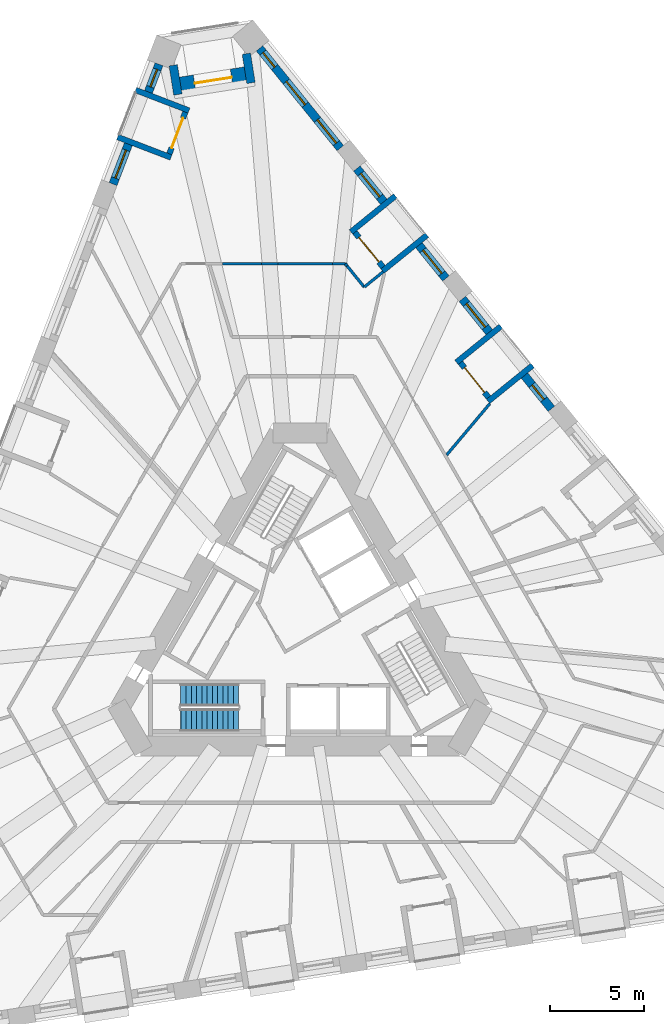
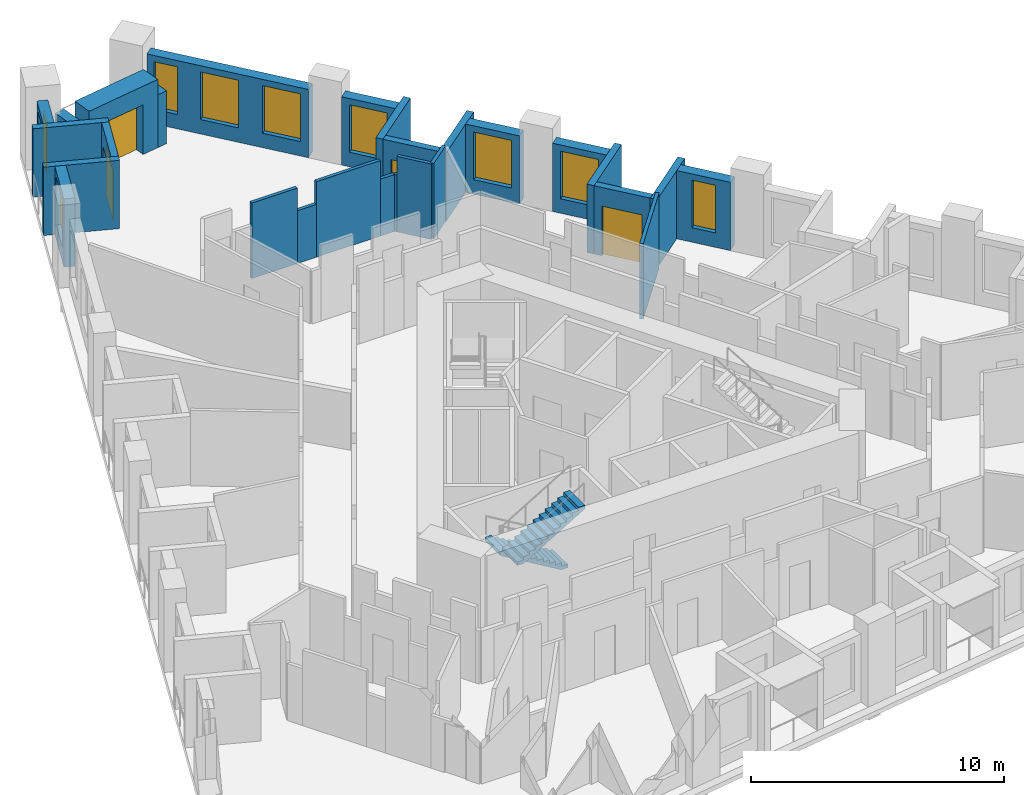
# One storey, part 9 of 14: 27 walls, 9 windows, 4 doors, 2 stair flights, 13 openings, 1 element without a shape of its own.
"""IFC4 building model written with IfcOpenShell, lengths in metres."""

import ifcopenshell
import ifcopenshell.guid

model = None  # the IFC model being written
_history = None  # IfcOwnerHistory: only IFC2X3 demands one
_inside = {}  # id of a spatial element -> (the spatial element, [elements in it])
_under = {}  # id of a project, library or spatial element -> (it, [spatial elements below it])
_declared = {}  # id of a project -> (the project, [libraries it declares])
_typed = {}  # id of a type object -> (the type object, [elements of that type])
_made_of = {}  # id of a material, layer set ... -> (it, [elements and type objects made of it])


def new_model(schema):
    """Start an empty IFC model of exactly this schema.

    Asked for "IFC4X3", IfcOpenShell would pick the latest addendum, in which some entities
    have other attributes; the version numbers below select the first issue.
    IFC2X3 requires an IfcOwnerHistory on every rooted entity: one is made here for all.
    """
    global model, _history
    if schema == "IFC4X3":
        model = ifcopenshell.file(schema_version=(4, 3, 0, 0))
    else:
        model = ifcopenshell.file(schema=schema)
    _inside.clear()
    _under.clear()
    _declared.clear()
    _typed.clear()
    _made_of.clear()
    _history = None
    if model.schema == "IFC2X3":
        org = make("IfcOrganization", Name="unknown")
        user = make(
            "IfcPersonAndOrganization",
            ThePerson=make("IfcPerson", FamilyName="unknown"),
            TheOrganization=org,
        )
        app = make(
            "IfcApplication",
            ApplicationDeveloper=org,
            Version="unknown",
            ApplicationFullName="unknown",
            ApplicationIdentifier="unknown",
        )
        _history = make(
            "IfcOwnerHistory",
            OwningUser=user,
            OwningApplication=app,
            ChangeAction="ADDED",
            CreationDate=0,
        )
    return model


def make(cls, **values):
    """One entity of the class cls with the attributes given. An attribute that is None is left unset."""
    return model.create_entity(
        cls, **{name: value for name, value in values.items() if value is not None}
    )


def rooted(cls, **values):
    """An entity with a GlobalId (a new one), such as an element, a storey or a relation."""
    return make(cls, GlobalId=ifcopenshell.guid.new(), OwnerHistory=_history, **values)


def si_unit(unit_type, name, prefix=None):
    """IfcSIUnit, for example si_unit("LENGTHUNIT", "METRE", prefix="MILLI")."""
    return make("IfcSIUnit", UnitType=unit_type, Prefix=prefix, Name=name)


def assignment(units):
    """IfcUnitAssignment: the units of a project."""
    return None if units is None else make("IfcUnitAssignment", Units=units)


def point(xyz):
    """IfcCartesianPoint."""
    return None if xyz is None else make("IfcCartesianPoint", Coordinates=xyz)


def direction(xyz):
    """IfcDirection."""
    return None if xyz is None else make("IfcDirection", DirectionRatios=xyz)


def frame(location, z_axis=None, x_axis=None):
    """IfcAxis2Placement3D, a coordinate frame: its origin and axes. An axis left out is left unset."""
    return make(
        "IfcAxis2Placement3D",
        Location=point(location),
        Axis=direction(z_axis),
        RefDirection=direction(x_axis),
    )


def frame_2d(location, x_axis=None):
    """IfcAxis2Placement2D, a coordinate frame in the plane: its origin and x axis."""
    return make(
        "IfcAxis2Placement2D", Location=point(location), RefDirection=direction(x_axis)
    )


def origin():
    """The frame at (0, 0, 0) with its axes left unset."""
    return frame((0.0, 0.0, 0.0))


def place(relative_to, where):
    """IfcLocalPlacement: puts the frame where relative to a parent placement (None: the world)."""
    return make(
        "IfcLocalPlacement", PlacementRelTo=relative_to, RelativePlacement=where
    )


def context(
    kind, dimensions, precision=None, world=None, true_north=None, identifier=None
):
    """IfcGeometricRepresentationContext, for example the 3D "Model" context."""
    return make(
        "IfcGeometricRepresentationContext",
        ContextIdentifier=identifier,
        ContextType=kind,
        CoordinateSpaceDimension=dimensions,
        Precision=precision,
        WorldCoordinateSystem=world,
        TrueNorth=true_north,
    )


def subcontext(parent, identifier, kind, view, scale=None):
    """IfcGeometricRepresentationSubContext, for example "Body" below "Model"."""
    return make(
        "IfcGeometricRepresentationSubContext",
        ContextIdentifier=identifier,
        ContextType=kind,
        ParentContext=parent,
        TargetScale=scale,
        TargetView=view,
    )


def project(units=None, contexts=None):
    """IfcProject with its units and contexts."""
    return rooted(
        "IfcProject",
        Name="project",
        RepresentationContexts=contexts,
        UnitsInContext=assignment(units),
    )


def spatial(cls, under=None, at=None, **own):
    """A site, building, storey or space (cls), placed at a placement, below another one or the project."""
    s = rooted(cls, ObjectPlacement=at, **own)
    if under is not None:
        _under.setdefault(under.id(), (under, []))[1].append(s)
    return s


def polyline(points):
    """IfcPolyline through the points."""
    return make("IfcPolyline", Points=[point(p) for p in points])


def profile(cls, at=None, kind="AREA", **sizes):
    """A parametric profile (cls). Its sizes go by their IFC names, for example OverallWidth=200.0."""
    return make(cls, ProfileType=kind, Position=at, **sizes)


def rectangle(**sizes):
    """IfcRectangleProfileDef."""
    return profile("IfcRectangleProfileDef", **sizes)


def outline(outer, holes=None, kind="AREA"):
    """IfcArbitraryClosedProfileDef: a profile drawn as a closed curve; with holes, ...WithVoids."""
    if holes is None:
        return make("IfcArbitraryClosedProfileDef", ProfileType=kind, OuterCurve=outer)
    return make(
        "IfcArbitraryProfileDefWithVoids",
        ProfileType=kind,
        OuterCurve=outer,
        InnerCurves=holes,
    )


def extrude(swept, where, along, depth):
    """IfcExtrudedAreaSolid: the profile swept, set in the frame where, extruded along a direction by depth."""
    return make(
        "IfcExtrudedAreaSolid",
        SweptArea=swept,
        Position=where,
        ExtrudedDirection=direction(along),
        Depth=depth,
    )


def shape(context_of_items, identifier, shape_type, items):
    """IfcShapeRepresentation: the items that make up one representation, for example the "Body"."""
    return make(
        "IfcShapeRepresentation",
        ContextOfItems=context_of_items,
        RepresentationIdentifier=identifier,
        RepresentationType=shape_type,
        Items=items,
    )


def material(Name=None, Category=None):
    """IfcMaterial."""
    return make("IfcMaterial", Name=Name, Category=Category)


def layer(
    of_material, thickness, ventilated=None, Name=None, Category=None, Priority=None
):
    """IfcMaterialLayer: one layer of a wall or slab, of a material (None: an air gap)."""
    return make(
        "IfcMaterialLayer",
        Material=of_material,
        LayerThickness=thickness,
        IsVentilated=ventilated,
        Name=Name,
        Category=Category,
        Priority=Priority,
    )


def layer_set(layers, Name=None):
    """IfcMaterialLayerSet."""
    return make("IfcMaterialLayerSet", MaterialLayers=layers, LayerSetName=Name)


def made_of(thing, what):
    """Note that an element or type object is made of a material, layer set ...; save() writes the relation."""
    if what is not None:
        _made_of.setdefault(what.id(), (what, []))[1].append(thing)
    return thing


def type_object(cls, material=None, **own):
    """A type object (cls), such as IfcWallType, which elements share."""
    return made_of(rooted(cls, **own), material)


def element(
    cls,
    number,
    at=None,
    inside=None,
    cuts=None,
    type_object=None,
    material=None,
    context=None,
    identifier="Body",
    shape_type=None,
    held_by="IfcProductDefinitionShape",
    body=None,
    shapes=None,
    **own,
):
    """One element of the class cls, such as IfcWall. Its Tag is "e" and its number.

    at: its placement. inside: the storey or other place that contains it. cuts: it is an
    opening in that element (IfcRelVoidsElement). A single representation is given by context,
    identifier, shape_type and body (its items); several are given by shapes. held_by: the class
    of the entity that holds the representations. save() writes the other relations.
    """
    e = rooted(cls, Tag="e%d" % number, ObjectPlacement=at, **own)
    if body is not None:
        shapes = [shape(context, identifier, shape_type, body)]
    if shapes is not None:
        e.Representation = make(held_by, Representations=shapes)
    if inside is not None:
        _inside.setdefault(inside.id(), (inside, []))[1].append(e)
    if cuts is not None:
        rooted(
            "IfcRelVoidsElement", RelatingBuildingElement=cuts, RelatedOpeningElement=e
        )
    if type_object is not None:
        _typed.setdefault(type_object.id(), (type_object, []))[1].append(e)
    return made_of(e, material)


def fill(opening, filler):
    """IfcRelFillsElement: the door or window that sits in an opening."""
    return rooted(
        "IfcRelFillsElement",
        RelatingOpeningElement=opening,
        RelatedBuildingElement=filler,
    )


def aggregate(whole, parts):
    """IfcRelAggregates: a whole, such as a stair, and the parts it consists of."""
    return rooted("IfcRelAggregates", RelatingObject=whole, RelatedObjects=parts)


def save(model, path):
    """Write the relations noted so far, then the file.

    IfcRelAggregates (storeys below a building ...), IfcRelContainedInSpatialStructure (elements
    in a storey), IfcRelDefinesByType, IfcRelAssociatesMaterial and IfcRelDeclares: one each for
    every whole, place, type object, material and project.
    """
    for whole, parts in _under.values():
        aggregate(whole, parts)
    for where, things in _inside.values():
        rooted(
            "IfcRelContainedInSpatialStructure",
            RelatedElements=things,
            RelatingStructure=where,
        )
    for kind, things in _typed.values():
        rooted("IfcRelDefinesByType", RelatedObjects=things, RelatingType=kind)
    for what, things in _made_of.values():
        rooted("IfcRelAssociatesMaterial", RelatedObjects=things, RelatingMaterial=what)
    for by, libraries in _declared.values():
        rooted("IfcRelDeclares", RelatingContext=by, RelatedDefinitions=libraries)
    model.write(path)


model = new_model("IFC4")

# Units and contexts
model_context = context("Model", 3, precision=1e-05, world=origin(), true_north=direction((0.0, 1.0)))
body_context = subcontext(model_context, "Body", "Model", "MODEL_VIEW")
ifc_project = project(units=[si_unit("LENGTHUNIT", "METRE"), si_unit("AREAUNIT", "SQUARE_METRE"), si_unit("VOLUMEUNIT", "CUBIC_METRE"), si_unit("PLANEANGLEUNIT", "RADIAN"), si_unit("MASSUNIT", "GRAM", prefix="KILO")], contexts=[model_context])

# Site, building, storey
site_placement = place(None, origin())
site = spatial("IfcSite", under=ifc_project, at=site_placement, CompositionType="ELEMENT")
building_placement = place(site_placement, origin())
building = spatial("IfcBuilding", under=site, at=building_placement, Name="Tramontana Tower", CompositionType="ELEMENT")
storey_placement = place(building_placement, frame((0.0, 0.0, 79.199951171875)))
storey = spatial("IfcBuildingStorey", under=building, at=storey_placement, Name="L17", CompositionType="ELEMENT", Elevation=79.199951171875)

# Wall, opening, window
ifc_material_1 = material(Name="Precast concrete 60 MPa", Category="concrete")
ifc_layer_1 = layer(ifc_material_1, 0.449951171875)
ifc_layer_set_1 = layer_set([ifc_layer_1], Name="Precast concrete 60 MPa, 450 mm")
wall_type_1 = type_object("IfcWallType", Name="EW1 Stone-faced precast wall 450", PredefinedType="SOLIDWALL", material=ifc_layer_set_1)
wall_1_placement = place(storey_placement, frame((-7.521728515625, 30.14453125, 0.0), z_axis=(0.0, 0.0, 1.0), x_axis=(-0.358431261356, -0.933556120907, 0.0)))
wall_1 = element("IfcWall", 1, at=wall_1_placement, inside=storey, type_object=wall_type_1, Name="External wall L17 face 0 bay 1", PredefinedType="SOLIDWALL", context=body_context, shape_type="SweptSolid", body=[
    extrude(rectangle(XDim=1.5830078125, YDim=0.449951171875, at=frame_2d((0.79150390625, 0.0))), origin(), (0.0, 0.0, 1.0), 3.300048828125),
])
opening_1_placement = place(wall_1_placement, frame((0.29150390625, 0.0, 0.699951171875)))
opening_1 = element("IfcOpeningElement", 2, at=opening_1_placement, cuts=wall_1, Name="Opening N1", PredefinedType="OPENING", context=body_context, shape_type="SweptSolid", body=[
    extrude(rectangle(XDim=1.0, YDim=2.300048828125, at=frame_2d((0.5, 1.14990234375))), frame((0.0, 0.23486328125, 0.0), z_axis=(0.0, -1.0, 0.0), x_axis=(1.0, 0.0, 0.0)), (0.0, 0.0, 1.0), 0.469970703125),
])
ifc_material_2 = material(Name="Aluminum frame, double glazing unit", Category="aluminium")
window_type_1 = type_object("IfcWindowType", Name="N1 Window 1 x 2.3", PartitioningType="SINGLE_PANEL", PredefinedType="WINDOW", material=ifc_material_2)
window_1_placement = place(opening_1_placement, origin())
window_1 = element("IfcWindow", 3, at=window_1_placement, inside=storey, type_object=window_type_1, Name="Window N1 L17 face 0 module 1", OverallHeight=2.300048828125, OverallWidth=1.0, PartitioningType="SINGLE_PANEL", PredefinedType="WINDOW", context=body_context, shape_type="SweptSolid", body=[
    extrude(rectangle(XDim=1.0, YDim=2.300048828125, at=frame_2d((0.5, 1.14990234375))), frame((0.0, 0.030029296875, 0.0), z_axis=(0.0, -1.0, 0.0), x_axis=(1.0, 0.0, 0.0)), (0.0, 0.0, 1.0), 0.06005859375),
])
fill(opening_1, window_1)

wall_2_placement = place(storey_placement, frame((-9.157958984375, 25.8818359375, 0.0), z_axis=(0.0, 0.0, 1.0), x_axis=(-0.358355550725, -0.933585185864, 0.0)))
wall_2 = element("IfcWall", 4, at=wall_2_placement, inside=storey, type_object=wall_type_1, Name="External wall L17 face 0 bay 1", PredefinedType="SOLIDWALL", context=body_context, shape_type="SweptSolid", body=[
    extrude(rectangle(XDim=2.282958984375, YDim=0.449951171875, at=frame_2d((1.1416015625, 0.0))), origin(), (0.0, 0.0, 1.0), 3.300048828125),
])
opening_2_placement = place(wall_2_placement, frame((0.341552734375, 0.0, 0.699951171875)))
opening_2 = element("IfcOpeningElement", 5, at=opening_2_placement, cuts=wall_2, Name="Opening M1", PredefinedType="OPENING", context=body_context, shape_type="SweptSolid", body=[
    extrude(rectangle(XDim=1.60009765625, YDim=2.300048828125, at=frame_2d((0.800048828125, 1.14990234375))), frame((0.0, 0.23486328125, 0.0), z_axis=(0.0, -1.0, 0.0), x_axis=(1.0, 0.0, 0.0)), (0.0, 0.0, 1.0), 0.469970703125),
])
ifc_material_3 = material(Name="Aluminum frame, double glazing unit", Category="aluminium")
window_type_2 = type_object("IfcWindowType", Name="M1 Window 1.6 x 2.3", PartitioningType="SINGLE_PANEL", PredefinedType="WINDOW", material=ifc_material_3)
window_2_placement = place(opening_2_placement, origin())
window_2 = element("IfcWindow", 6, at=window_2_placement, inside=storey, type_object=window_type_2, Name="Window M1 L17 face 0 module 3", OverallHeight=2.300048828125, OverallWidth=1.60009765625, PartitioningType="SINGLE_PANEL", PredefinedType="WINDOW", context=body_context, shape_type="SweptSolid", body=[
    extrude(rectangle(XDim=1.60009765625, YDim=2.300048828125, at=frame_2d((0.800048828125, 1.14990234375))), frame((0.0, 0.030029296875, 0.0), z_axis=(0.0, -1.0, 0.0), x_axis=(1.0, 0.0, 0.0)), (0.0, 0.0, 1.0), 0.06005859375),
])
fill(opening_2, window_2)

wall_3_placement = place(storey_placement, frame((13.412109375, 11.76171875, 0.0), z_axis=(0.0, 0.0, 1.0), x_axis=(-0.629339730135, 0.777130300576, 0.0)))
wall_3 = element("IfcWall", 7, at=wall_3_placement, inside=storey, type_object=wall_type_1, Name="External wall L17 face 2 bay 4", PredefinedType="SOLIDWALL", context=body_context, shape_type="SweptSolid", body=[
    extrude(rectangle(XDim=2.282958984375, YDim=0.449951171875, at=frame_2d((1.1416015625, 0.0))), origin(), (0.0, 0.0, 1.0), 3.300048828125),
])
opening_3_placement = place(wall_3_placement, frame((0.6416015625, 0.0, 0.699951171875)))
opening_3 = element("IfcOpeningElement", 8, at=opening_3_placement, cuts=wall_3, Name="Opening N1", PredefinedType="OPENING", context=body_context, shape_type="SweptSolid", body=[
    extrude(rectangle(XDim=1.0, YDim=2.300048828125, at=frame_2d((0.5, 1.14990234375))), frame((0.0, 0.23486328125, 0.0), z_axis=(0.0, -1.0, 0.0), x_axis=(1.0, 0.0, 0.0)), (0.0, 0.0, 1.0), 0.469970703125),
])
window_3_placement = place(opening_3_placement, origin())
window_3 = element("IfcWindow", 9, at=window_3_placement, inside=storey, type_object=window_type_1, Name="Window N1 L17 face 2 module 10", OverallHeight=2.300048828125, OverallWidth=1.0, PartitioningType="SINGLE_PANEL", PredefinedType="WINDOW", context=body_context, shape_type="SweptSolid", body=[
    extrude(rectangle(XDim=1.0, YDim=2.300048828125, at=frame_2d((0.5, 1.14990234375))), frame((0.0, 0.030029296875, 0.0), z_axis=(0.0, -1.0, 0.0), x_axis=(1.0, 0.0, 0.0)), (0.0, 0.0, 1.0), 0.06005859375),
])
fill(opening_3, window_3)

wall_4_placement = place(storey_placement, frame((10.09814453125, 15.85400390625, 0.0), z_axis=(0.0, 0.0, 1.0), x_axis=(-0.629339730135, 0.777130300576, 0.0)))
wall_4 = element("IfcWall", 10, at=wall_4_placement, inside=storey, type_object=wall_type_1, Name="External wall L17 face 2 bay 4", PredefinedType="SOLIDWALL", context=body_context, shape_type="SweptSolid", body=[
    extrude(rectangle(XDim=2.282958984375, YDim=0.449951171875, at=frame_2d((1.1416015625, 0.0))), origin(), (0.0, 0.0, 1.0), 3.300048828125),
])
opening_4_placement = place(wall_4_placement, frame((0.341552734375, 0.0, 0.699951171875)))
opening_4 = element("IfcOpeningElement", 11, at=opening_4_placement, cuts=wall_4, Name="Opening M1", PredefinedType="OPENING", context=body_context, shape_type="SweptSolid", body=[
    extrude(rectangle(XDim=1.60009765625, YDim=2.300048828125, at=frame_2d((0.800048828125, 1.14990234375))), frame((0.0, 0.23486328125, 0.0), z_axis=(0.0, -1.0, 0.0), x_axis=(1.0, 0.0, 0.0)), (0.0, 0.0, 1.0), 0.469970703125),
])
window_4_placement = place(opening_4_placement, origin())
window_4 = element("IfcWindow", 12, at=window_4_placement, inside=storey, type_object=window_type_2, Name="Window M1 L17 face 2 module 12", OverallHeight=2.300048828125, OverallWidth=1.60009765625, PartitioningType="SINGLE_PANEL", PredefinedType="WINDOW", context=body_context, shape_type="SweptSolid", body=[
    extrude(rectangle(XDim=1.60009765625, YDim=2.300048828125, at=frame_2d((0.800048828125, 1.14990234375))), frame((0.0, 0.030029296875, 0.0), z_axis=(0.0, -1.0, 0.0), x_axis=(1.0, 0.0, 0.0)), (0.0, 0.0, 1.0), 0.06005859375),
])
fill(opening_4, window_4)

wall_5_placement = place(storey_placement, frame((7.7802734375, 18.71630859375, 0.0), z_axis=(0.0, 0.0, 1.0), x_axis=(-0.629275139402, 0.777182603337, 0.0)))
wall_5 = element("IfcWall", 13, at=wall_5_placement, inside=storey, type_object=wall_type_1, Name="External wall L17 face 2 bay 5", PredefinedType="SOLIDWALL", context=body_context, shape_type="SweptSolid", body=[
    extrude(rectangle(XDim=2.28271484375, YDim=0.449951171875, at=frame_2d((1.141357421875, 0.0))), origin(), (0.0, 0.0, 1.0), 3.300048828125),
])
opening_5_placement = place(wall_5_placement, frame((0.341552734375, 0.0, 0.699951171875)))
opening_5 = element("IfcOpeningElement", 14, at=opening_5_placement, cuts=wall_5, Name="Opening M1", PredefinedType="OPENING", context=body_context, shape_type="SweptSolid", body=[
    extrude(rectangle(XDim=1.60009765625, YDim=2.300048828125, at=frame_2d((0.800048828125, 1.14990234375))), frame((0.0, 0.23486328125, 0.0), z_axis=(0.0, -1.0, 0.0), x_axis=(1.0, 0.0, 0.0)), (0.0, 0.0, 1.0), 0.469970703125),
])
window_5_placement = place(opening_5_placement, origin())
window_5 = element("IfcWindow", 15, at=window_5_placement, inside=storey, type_object=window_type_2, Name="Window M1 L17 face 2 module 13", OverallHeight=2.300048828125, OverallWidth=1.60009765625, PartitioningType="SINGLE_PANEL", PredefinedType="WINDOW", context=body_context, shape_type="SweptSolid", body=[
    extrude(rectangle(XDim=1.60009765625, YDim=2.300048828125, at=frame_2d((0.800048828125, 1.14990234375))), frame((0.0, 0.030029296875, 0.0), z_axis=(0.0, -1.0, 0.0), x_axis=(1.0, 0.0, 0.0)), (0.0, 0.0, 1.0), 0.06005859375),
])
fill(opening_5, window_5)

wall_6_placement = place(storey_placement, frame((4.46630859375, 22.80859375, 0.0), z_axis=(0.0, 0.0, 1.0), x_axis=(-0.629275139402, 0.777182603337, 0.0)))
wall_6 = element("IfcWall", 16, at=wall_6_placement, inside=storey, type_object=wall_type_1, Name="External wall L17 face 2 bay 5", PredefinedType="SOLIDWALL", context=body_context, shape_type="SweptSolid", body=[
    extrude(rectangle(XDim=2.28271484375, YDim=0.449951171875, at=frame_2d((1.141357421875, 0.0))), origin(), (0.0, 0.0, 1.0), 3.300048828125),
])
opening_6_placement = place(wall_6_placement, frame((0.341552734375, 0.0, 0.699951171875)))
opening_6 = element("IfcOpeningElement", 17, at=opening_6_placement, cuts=wall_6, Name="Opening M1", PredefinedType="OPENING", context=body_context, shape_type="SweptSolid", body=[
    extrude(rectangle(XDim=1.60009765625, YDim=2.300048828125, at=frame_2d((0.800048828125, 1.14990234375))), frame((0.0, 0.23486328125, 0.0), z_axis=(0.0, -1.0, 0.0), x_axis=(1.0, 0.0, 0.0)), (0.0, 0.0, 1.0), 0.469970703125),
])
window_6_placement = place(opening_6_placement, origin())
window_6 = element("IfcWindow", 18, at=window_6_placement, inside=storey, type_object=window_type_2, Name="Window M1 L17 face 2 module 15", OverallHeight=2.300048828125, OverallWidth=1.60009765625, PartitioningType="SINGLE_PANEL", PredefinedType="WINDOW", context=body_context, shape_type="SweptSolid", body=[
    extrude(rectangle(XDim=1.60009765625, YDim=2.300048828125, at=frame_2d((0.800048828125, 1.14990234375))), frame((0.0, 0.030029296875, 0.0), z_axis=(0.0, -1.0, 0.0), x_axis=(1.0, 0.0, 0.0)), (0.0, 0.0, 1.0), 0.06005859375),
])
fill(opening_6, window_6)

# Wall, openings, windows
wall_7_placement = place(storey_placement, frame((2.148681640625, 25.6708984375, 0.0), z_axis=(0.0, 0.0, 1.0), x_axis=(-0.629339730135, 0.777130300576, 0.0)))
wall_7 = element("IfcWall", 19, at=wall_7_placement, inside=storey, type_object=wall_type_1, Name="External wall L17 face 2 bay 6", PredefinedType="SOLIDWALL", context=body_context, shape_type="SweptSolid", body=[
    extrude(rectangle(XDim=6.848876953125, YDim=0.449951171875, at=frame_2d((3.42431640625, 0.0))), origin(), (0.0, 0.0, 1.0), 3.300048828125),
])
opening_7_placement = place(wall_7_placement, frame((0.341552734375, 0.0, 0.699951171875)))
opening_7 = element("IfcOpeningElement", 20, at=opening_7_placement, cuts=wall_7, Name="Opening M1", PredefinedType="OPENING", context=body_context, shape_type="SweptSolid", body=[
    extrude(rectangle(XDim=1.60009765625, YDim=2.300048828125, at=frame_2d((0.800048828125, 1.14990234375))), frame((0.0, 0.23486328125, 0.0), z_axis=(0.0, -1.0, 0.0), x_axis=(1.0, 0.0, 0.0)), (0.0, 0.0, 1.0), 0.469970703125),
])
opening_8_placement = place(wall_7_placement, frame((2.974365234375, 0.0, 0.699951171875)))
opening_8 = element("IfcOpeningElement", 21, at=opening_8_placement, cuts=wall_7, Name="Opening M1", PredefinedType="OPENING", context=body_context, shape_type="SweptSolid", body=[
    extrude(rectangle(XDim=1.60009765625, YDim=2.300048828125, at=frame_2d((0.800048828125, 1.14990234375))), frame((0.0, 0.23486328125, 0.0), z_axis=(0.0, -1.0, 0.0), x_axis=(1.0, 0.0, 0.0)), (0.0, 0.0, 1.0), 0.469970703125),
])
opening_9_placement = place(wall_7_placement, frame((5.557373046875, 0.0, 0.699951171875)))
opening_9 = element("IfcOpeningElement", 22, at=opening_9_placement, cuts=wall_7, Name="Opening N1", PredefinedType="OPENING", context=body_context, shape_type="SweptSolid", body=[
    extrude(rectangle(XDim=1.0, YDim=2.300048828125, at=frame_2d((0.5, 1.14990234375))), frame((0.0, 0.23486328125, 0.0), z_axis=(0.0, -1.0, 0.0), x_axis=(1.0, 0.0, 0.0)), (0.0, 0.0, 1.0), 0.469970703125),
])
window_7_placement = place(opening_7_placement, origin())
window_7 = element("IfcWindow", 23, at=window_7_placement, inside=storey, type_object=window_type_2, Name="Window M1 L17 face 2 module 16", OverallHeight=2.300048828125, OverallWidth=1.60009765625, PartitioningType="SINGLE_PANEL", PredefinedType="WINDOW", context=body_context, shape_type="SweptSolid", body=[
    extrude(rectangle(XDim=1.60009765625, YDim=2.300048828125, at=frame_2d((0.800048828125, 1.14990234375))), frame((0.0, 0.030029296875, 0.0), z_axis=(0.0, -1.0, 0.0), x_axis=(1.0, 0.0, 0.0)), (0.0, 0.0, 1.0), 0.06005859375),
])
fill(opening_7, window_7)
window_8_placement = place(opening_8_placement, origin())
window_8 = element("IfcWindow", 24, at=window_8_placement, inside=storey, type_object=window_type_2, Name="Window M1 L17 face 2 module 17", OverallHeight=2.300048828125, OverallWidth=1.60009765625, PartitioningType="SINGLE_PANEL", PredefinedType="WINDOW", context=body_context, shape_type="SweptSolid", body=[
    extrude(rectangle(XDim=1.60009765625, YDim=2.300048828125, at=frame_2d((0.800048828125, 1.14990234375))), frame((0.0, 0.030029296875, 0.0), z_axis=(0.0, -1.0, 0.0), x_axis=(1.0, 0.0, 0.0)), (0.0, 0.0, 1.0), 0.06005859375),
])
fill(opening_8, window_8)
window_9_placement = place(opening_9_placement, origin())
window_9 = element("IfcWindow", 25, at=window_9_placement, inside=storey, type_object=window_type_1, Name="Window N1 L17 face 2 module 18", OverallHeight=2.300048828125, OverallWidth=1.0, PartitioningType="SINGLE_PANEL", PredefinedType="WINDOW", context=body_context, shape_type="SweptSolid", body=[
    extrude(rectangle(XDim=1.0, YDim=2.300048828125, at=frame_2d((0.5, 1.14990234375))), frame((0.0, 0.030029296875, 0.0), z_axis=(0.0, -1.0, 0.0), x_axis=(1.0, 0.0, 0.0)), (0.0, 0.0, 1.0), 0.06005859375),
])
fill(opening_9, window_9)

# Walls
for number, where, z_axis, x_axis, name in (
    (26, (-6.765625, 30.09130859375, 0.0), (0.0, 0.0, 1.0), (0.156446802793, -0.987686386408, 0.0), "Corner loggia side wall L17 K10l"),
    (27, (-2.8642578125, 30.709228515625, 0.0), (0.0, 0.0, 1.0), (0.156446802793, -0.987686386408, 0.0), "Corner loggia side wall L17 K10r"),
):
    element("IfcWall", number, at=place(storey_placement, frame(where, z_axis=z_axis, x_axis=x_axis)), inside=storey, type_object=wall_type_1, Name=name, PredefinedType="SOLIDWALL", context=body_context, shape_type="SweptSolid", body=[
        extrude(rectangle(XDim=1.579345703125, YDim=0.449951171875, at=frame_2d((0.78955078125, 0.0))), origin(), (0.0, 0.0, 1.0), 2.550048828125),
    ])

# Wall, opening, door
ifc_material_4 = material(Name="Precast concrete 60 MPa", Category="concrete")
ifc_layer_2 = layer(ifc_material_4, 0.89990234375)
ifc_layer_set_2 = layer_set([ifc_layer_2], Name="EW2 Stone-faced corner loggia wall 900")
wall_type_2 = type_object("IfcWallType", Name="EW2 Stone-faced corner loggia wall 900", PredefinedType="SOLIDWALL", material=ifc_layer_set_2)
wall_8_placement = place(storey_placement, frame((-6.36669921875, 29.01123046875, 0.0), z_axis=(0.0, 0.0, 1.0), x_axis=(0.987683654859, 0.156464046744, 0.0)))
wall_8 = element("IfcWall", 28, at=wall_8_placement, inside=storey, type_object=wall_type_2, Name="Corner loggia wall L17 K10", PredefinedType="SOLIDWALL", context=body_context, shape_type="SweptSolid", body=[
    extrude(rectangle(XDim=3.5, YDim=0.89990234375, at=frame_2d((1.75, 0.0))), origin(), (0.0, 0.0, 1.0), 3.300048828125),
])
opening_10_placement = place(wall_8_placement, frame((0.75, 0.0, 0.0)))
opening_10 = element("IfcOpeningElement", 29, at=opening_10_placement, cuts=wall_8, Name="Opening BD-10C", PredefinedType="OPENING", context=body_context, shape_type="SweptSolid", body=[
    extrude(rectangle(XDim=2.0, YDim=2.39990234375, at=frame_2d((1.0, 1.199951171875))), frame((0.0, 0.4599609375, 0.0), z_axis=(0.0, -1.0, 0.0), x_axis=(1.0, 0.0, 0.0)), (0.0, 0.0, 1.0), 0.919921875),
])
ifc_material_5 = material(Name="Aluminum frame, double glazing unit", Category="aluminium")
door_type_1 = type_object("IfcDoorType", Name="BC1 Sliding door 2 x 2.4", OperationType="SLIDING_TO_LEFT", PredefinedType="DOOR", material=ifc_material_5)
door_1_placement = place(opening_10_placement, origin())
door_1 = element("IfcDoor", 30, at=door_1_placement, inside=storey, type_object=door_type_1, Name="Corner loggia door L17 K10", OperationType="SLIDING_TO_LEFT", OverallHeight=2.39990234375, OverallWidth=2.0, PredefinedType="DOOR", context=body_context, shape_type="SweptSolid", body=[
    extrude(rectangle(XDim=2.0, YDim=2.39990234375, at=frame_2d((1.0, 1.199951171875))), frame((0.0, 0.02490234375, 0.0), z_axis=(0.0, -1.0, 0.0), x_axis=(1.0, 0.0, 0.0)), (0.0, 0.0, 1.0), 0.050048828125),
])
fill(opening_10, door_1)

ifc_material_6 = material(Name="Precast concrete 60 MPa", Category="concrete")
ifc_layer_3 = layer(ifc_material_6, 0.300048828125)
ifc_layer_set_3 = layer_set([ifc_layer_3], Name="LW1 Stone-faced loggia wall 300")
wall_type_3 = type_object("IfcWallType", Name="LW1 Stone-faced loggia wall 300", PredefinedType="SOLIDWALL", material=ifc_layer_set_3)
wall_9_placement = place(storey_placement, frame((-6.119384765625, 27.58935546875, 0.0), z_axis=(0.0, 0.0, 1.0), x_axis=(-0.358354292693, -0.933585668757, 0.0)))
wall_9 = element("IfcWall", 31, at=wall_9_placement, inside=storey, type_object=wall_type_3, Name="Loggia wall L17 G1S0.1", PredefinedType="SOLIDWALL", context=body_context, shape_type="SweptSolid", body=[
    extrude(rectangle(XDim=2.383056640625, YDim=0.300048828125, at=frame_2d((1.19140625, 0.0))), origin(), (0.0, 0.0, 1.0), 3.300048828125),
])
opening_11_placement = place(wall_9_placement, frame((0.341552734375, 0.0, 0.0)))
opening_11 = element("IfcOpeningElement", 32, at=opening_11_placement, cuts=wall_9, Name="Opening BD-1S0-01", PredefinedType="OPENING", context=body_context, shape_type="SweptSolid", body=[
    extrude(rectangle(XDim=1.699951171875, YDim=2.39990234375, at=frame_2d((0.85009765625, 1.199951171875))), frame((0.0, 0.159912109375, 0.0), z_axis=(0.0, -1.0, 0.0), x_axis=(1.0, 0.0, 0.0)), (0.0, 0.0, 1.0), 0.320068359375),
])
ifc_material_7 = material(Name="Aluminum frame, double glazing unit", Category="aluminium")
door_type_2 = type_object("IfcDoorType", Name="BD1 Sliding door 1.7 x 2.4", OperationType="SLIDING_TO_LEFT", PredefinedType="DOOR", material=ifc_material_7)
door_2_placement = place(opening_11_placement, origin())
door_2 = element("IfcDoor", 33, at=door_2_placement, inside=storey, type_object=door_type_2, Name="Loggia door L17 G1S0.1", OperationType="SLIDING_TO_LEFT", OverallHeight=2.39990234375, OverallWidth=1.699951171875, PredefinedType="DOOR", context=body_context, shape_type="SweptSolid", body=[
    extrude(rectangle(XDim=1.699951171875, YDim=2.39990234375, at=frame_2d((0.85009765625, 1.199951171875))), frame((0.0, 0.02490234375, 0.0), z_axis=(0.0, -1.0, 0.0), x_axis=(1.0, 0.0, 0.0)), (0.0, 0.0, 1.0), 0.050048828125),
])
fill(opening_11, door_2)

# Walls
for number, where, z_axis, x_axis, name in (
    (34, (-8.77294921875, 28.7685546875, 0.0), (0.0, 0.0, 1.0), (0.933580593625, -0.358367514161, 0.0), "Loggia return L17 G1S0.1a"),
    (35, (-9.734375, 26.263671875, 0.0), (0.0, 0.0, 1.0), (0.933580593625, -0.358367514161, 0.0), "Loggia return L17 G1S0.1b"),
):
    element("IfcWall", number, at=place(storey_placement, frame(where, z_axis=z_axis, x_axis=x_axis)), inside=storey, type_object=wall_type_3, Name=name, PredefinedType="SOLIDWALL", context=body_context, shape_type="SweptSolid", body=[
        extrude(rectangle(XDim=3.050048828125, YDim=0.300048828125, at=frame_2d((1.52490234375, 0.0))), origin(), (0.0, 0.0, 1.0), 3.300048828125),
    ])

# Wall, opening, door
wall_10_placement = place(storey_placement, frame((10.057373046875, 12.36865234375, 0.0), z_axis=(0.0, 0.0, 1.0), x_axis=(-0.629257171563, 0.777197151331, 0.0)))
wall_10 = element("IfcWall", 36, at=wall_10_placement, inside=storey, type_object=wall_type_3, Name="Loggia wall L17 G1S2.10", PredefinedType="SOLIDWALL", context=body_context, shape_type="SweptSolid", body=[
    extrude(rectangle(XDim=2.383056640625, YDim=0.300048828125, at=frame_2d((1.19140625, 0.0))), origin(), (0.0, 0.0, 1.0), 3.300048828125),
])
opening_12_placement = place(wall_10_placement, frame((0.341552734375, 0.0, 0.0)))
opening_12 = element("IfcOpeningElement", 37, at=opening_12_placement, cuts=wall_10, Name="Opening BD-1S2-10", PredefinedType="OPENING", context=body_context, shape_type="SweptSolid", body=[
    extrude(rectangle(XDim=1.699951171875, YDim=2.39990234375, at=frame_2d((0.85009765625, 1.199951171875))), frame((0.0, 0.159912109375, 0.0), z_axis=(0.0, -1.0, 0.0), x_axis=(1.0, 0.0, 0.0)), (0.0, 0.0, 1.0), 0.320068359375),
])
door_3_placement = place(opening_12_placement, origin())
door_3 = element("IfcDoor", 38, at=door_3_placement, inside=storey, type_object=door_type_2, Name="Loggia door L17 G1S2.10", OperationType="SLIDING_TO_LEFT", OverallHeight=2.39990234375, OverallWidth=1.699951171875, PredefinedType="DOOR", context=body_context, shape_type="SweptSolid", body=[
    extrude(rectangle(XDim=1.699951171875, YDim=2.39990234375, at=frame_2d((0.85009765625, 1.199951171875))), frame((0.0, 0.02490234375, 0.0), z_axis=(0.0, -1.0, 0.0), x_axis=(1.0, 0.0, 0.0)), (0.0, 0.0, 1.0), 0.050048828125),
])
fill(opening_12, door_3)

# Walls
wall_11_placement = place(storey_placement, frame((12.405517578125, 14.0771484375, 0.0), z_axis=(0.0, 0.0, 1.0), x_axis=(-0.777153523895, -0.629311052102, 0.0)))
element("IfcWall", 39, at=wall_11_placement, inside=storey, type_object=wall_type_3, Name="Loggia return L17 G1S2.10a", PredefinedType="SOLIDWALL", context=body_context, shape_type="SweptSolid", body=[
    extrude(rectangle(XDim=3.050048828125, YDim=0.300048828125, at=frame_2d((1.52490234375, 0.0))), origin(), (0.0, 0.0, 1.0), 3.300048828125),
])
wall_12_placement = place(storey_placement, frame((10.717041015625, 16.162353515625, 0.0), z_axis=(0.0, 0.0, 1.0), x_axis=(-0.777121820661, -0.629350201281, 0.0)))
element("IfcWall", 40, at=wall_12_placement, inside=storey, type_object=wall_type_3, Name="Loggia return L17 G1S2.10b", PredefinedType="SOLIDWALL", context=body_context, shape_type="SweptSolid", body=[
    extrude(rectangle(XDim=3.0498046875, YDim=0.300048828125, at=frame_2d((1.52490234375, 0.0))), origin(), (0.0, 0.0, 1.0), 3.300048828125),
])

# Wall, opening, door
wall_13_placement = place(storey_placement, frame((4.42578125, 19.323486328125, 0.0), z_axis=(0.0, 0.0, 1.0), x_axis=(-0.629369155682, 0.777106470103, 0.0)))
wall_13 = element("IfcWall", 41, at=wall_13_placement, inside=storey, type_object=wall_type_3, Name="Loggia wall L17 G1S2.13", PredefinedType="SOLIDWALL", context=body_context, shape_type="SweptSolid", body=[
    extrude(rectangle(XDim=2.383056640625, YDim=0.300048828125, at=frame_2d((1.19140625, 0.0))), origin(), (0.0, 0.0, 1.0), 3.300048828125),
])
opening_13_placement = place(wall_13_placement, frame((0.341552734375, 0.0, 0.0)))
opening_13 = element("IfcOpeningElement", 42, at=opening_13_placement, cuts=wall_13, Name="Opening BD-1S2-13", PredefinedType="OPENING", context=body_context, shape_type="SweptSolid", body=[
    extrude(rectangle(XDim=1.699951171875, YDim=2.39990234375, at=frame_2d((0.85009765625, 1.199951171875))), frame((0.0, 0.159912109375, 0.0), z_axis=(0.0, -1.0, 0.0), x_axis=(1.0, 0.0, 0.0)), (0.0, 0.0, 1.0), 0.320068359375),
])
door_4_placement = place(opening_13_placement, origin())
door_4 = element("IfcDoor", 43, at=door_4_placement, inside=storey, type_object=door_type_2, Name="Loggia door L17 G1S2.13", OperationType="SLIDING_TO_LEFT", OverallHeight=2.39990234375, OverallWidth=1.699951171875, PredefinedType="DOOR", context=body_context, shape_type="SweptSolid", body=[
    extrude(rectangle(XDim=1.699951171875, YDim=2.39990234375, at=frame_2d((0.85009765625, 1.199951171875))), frame((0.0, 0.02490234375, 0.0), z_axis=(0.0, -1.0, 0.0), x_axis=(1.0, 0.0, 0.0)), (0.0, 0.0, 1.0), 0.050048828125),
])
fill(opening_13, door_4)

# Walls
for number, where, z_axis, x_axis, name in (
    (44, (6.77392578125, 21.03173828125, 0.0), (0.0, 0.0, 1.0), (-0.777153523895, -0.629311052102, 0.0), "Loggia return L17 G1S2.13a"),
    (45, (5.08544921875, 23.116943359375, 0.0), (0.0, 0.0, 1.0), (-0.777153523895, -0.629311052102, 0.0), "Loggia return L17 G1S2.13b"),
):
    element("IfcWall", number, at=place(storey_placement, frame(where, z_axis=z_axis, x_axis=x_axis)), inside=storey, type_object=wall_type_3, Name=name, PredefinedType="SOLIDWALL", context=body_context, shape_type="SweptSolid", body=[
        extrude(rectangle(XDim=3.050048828125, YDim=0.300048828125, at=frame_2d((1.52490234375, 0.0))), origin(), (0.0, 0.0, 1.0), 3.300048828125),
    ])
ifc_material_8 = material(Name="Gypsum board partition")
ifc_layer_4 = layer(ifc_material_8, 0.14990234375)
ifc_layer_set_4 = layer_set([ifc_layer_4], Name="PARTITION 150")
wall_type_4 = type_object("IfcWallType", Name="PARTITION 150", PredefinedType="PARTITIONING", material=ifc_layer_set_4)
wall_14_placement = place(storey_placement, frame((-4.140625, 19.5, 0.0), z_axis=(0.0, 0.0, 1.0), x_axis=(1.0, 0.0, 0.0)))
element("IfcWall", 46, at=wall_14_placement, inside=storey, type_object=wall_type_4, Name="Wall v12-pw18-2", PredefinedType="PARTITIONING", context=body_context, shape_type="SweptSolid", body=[
    extrude(rectangle(XDim=2.079833984375, YDim=0.14990234375, at=frame_2d((1.0400390625, 0.0))), origin(), (0.0, 0.0, 1.0), 3.650146484375),
])
wall_15_placement = place(storey_placement, frame((-2.060791015625, 19.5, 0.0), z_axis=(0.0, 0.0, 1.0), x_axis=(1.0, 0.0, 0.0)))
element("IfcWall", 47, at=wall_15_placement, inside=storey, type_object=wall_type_4, Name="Wall v12-pw18-3", PredefinedType="PARTITIONING", context=body_context, shape_type="SweptSolid", body=[
    extrude(rectangle(XDim=0.878173828125, YDim=0.14990234375, at=frame_2d((0.43896484375, 0.0))), origin(), (0.0, 0.0, 1.0), 2.550048828125),
])
wall_16_placement = place(storey_placement, frame((-1.1826171875, 19.5, 0.0), z_axis=(0.0, 0.0, 1.0), x_axis=(1.0, 0.0, 0.0)))
element("IfcWall", 48, at=wall_16_placement, inside=storey, type_object=wall_type_4, Name="Wall v12-pw18-4", PredefinedType="PARTITIONING", context=body_context, shape_type="SweptSolid", body=[
    extrude(rectangle(XDim=2.92578125, YDim=0.14990234375, at=frame_2d((1.462890625, 0.0))), origin(), (0.0, 0.0, 1.0), 3.650146484375),
])
wall_17_placement = place(storey_placement, frame((1.7431640625, 19.5, 0.0), z_axis=(0.0, 0.0, 1.0), x_axis=(1.0, 0.0, 0.0)))
element("IfcWall", 49, at=wall_17_placement, inside=storey, type_object=wall_type_4, Name="Wall v12-pw18-5", PredefinedType="PARTITIONING", context=body_context, shape_type="SweptSolid", body=[
    extrude(rectangle(XDim=0.67333984375, YDim=0.14990234375, at=frame_2d((0.336669921875, 0.0))), origin(), (0.0, 0.0, 1.0), 2.75),
])
wall_18_placement = place(storey_placement, frame((2.416748046875, 19.5, 0.0), z_axis=(0.0, 0.0, 1.0), x_axis=(0.62929275635, -0.777168338782, 0.0)))
element("IfcWall", 50, at=wall_18_placement, inside=storey, type_object=wall_type_4, Name="Wall v12-pw24-0", PredefinedType="PARTITIONING", context=body_context, shape_type="SweptSolid", body=[
    extrude(rectangle(XDim=0.148681640625, YDim=0.14990234375, at=frame_2d((0.07421875, 0.0))), origin(), (0.0, 0.0, 1.0), 2.75),
])
wall_19_placement = place(storey_placement, frame((2.51025390625, 19.384521484375, 0.0), z_axis=(0.0, 0.0, 1.0), x_axis=(0.629198228668, -0.777244870707, 0.0)))
element("IfcWall", 51, at=wall_19_placement, inside=storey, type_object=wall_type_4, Name="Wall v12-pw24-1", PredefinedType="PARTITIONING", context=body_context, shape_type="SweptSolid", body=[
    extrude(rectangle(XDim=1.451171875, YDim=0.14990234375, at=frame_2d((0.7255859375, 0.0))), origin(), (0.0, 0.0, 1.0), 3.650146484375),
])
wall_20_placement = place(storey_placement, frame((3.42626953125, 18.25634765625, 0.0), z_axis=(0.0, 0.0, 1.0), x_axis=(0.777148502558, 0.629317253039, 0.0)))
element("IfcWall", 52, at=wall_20_placement, inside=storey, type_object=wall_type_4, Name="Wall v12-pw25", PredefinedType="PARTITIONING", context=body_context, shape_type="SweptSolid", body=[
    extrude(rectangle(XDim=1.298095703125, YDim=0.14990234375, at=frame_2d((0.64892578125, 0.0))), origin(), (0.0, 0.0, 1.0), 3.650146484375),
])
wall_21_placement = place(storey_placement, frame((10.129638671875, 12.041259765625, 0.0), z_axis=(0.0, 0.0, 1.0), x_axis=(-0.643743261182, -0.765241539439, 0.0)))
element("IfcWall", 53, at=wall_21_placement, inside=storey, type_object=wall_type_4, Name="Wall v12-pw32", PredefinedType="PARTITIONING", context=body_context, shape_type="SweptSolid", body=[
    extrude(rectangle(XDim=3.582763671875, YDim=0.14990234375, at=frame_2d((1.79150390625, 0.0))), origin(), (0.0, 0.0, 1.0), 3.650146484375),
])

# Stair, stair flights
ifc_material_9 = material(Name="Concrete 40 MPa", Category="concrete")
stair_type = type_object("IfcStairType", Name="EXIT STAIR 24 RISERS", PredefinedType="HALF_TURN_STAIR", material=ifc_material_9)
stair_placement = place(storey_placement, origin())
stair = element("IfcStair", 54, at=stair_placement, inside=storey, type_object=stair_type, Name="L17 Exit stair ST2", PredefinedType="HALF_TURN_STAIR")
ifc_material_10 = material(Name="Concrete 40 MPa", Category="concrete")
ifc_layer_5 = layer(ifc_material_10, 0.14990234375)
ifc_layer_set_5 = layer_set([ifc_layer_5], Name="EXIT STAIR FLIGHT")
stair_flight_type = type_object("IfcStairFlightType", Name="EXIT STAIR FLIGHT", PredefinedType="STRAIGHT", material=ifc_layer_set_5)
stair_flight_1_placement = place(storey_placement, frame((-3.280029296875, -3.5, 0.0), z_axis=(0.0, 0.0, 1.0), x_axis=(-1.0, 0.0, 0.0)))
stair_flight_1 = element("IfcStairFlight", 55, at=stair_flight_1_placement, type_object=stair_flight_type, Name="ST2 flight 1", NumberOfRisers=12, NumberOfTreads=11, PredefinedType="STRAIGHT", RiserHeight=0.166666667, TreadLength=0.28, context=body_context, shape_type="SweptSolid", body=[
    extrude(outline(polyline([(-0.006103515625, 0.0), (-0.006103515625, 0.0400390625), (0.0, 0.0400390625), (0.0, 0.166748046875), (0.280029296875, 0.166748046875), (0.280029296875, 0.333251953125), (0.56005859375, 0.333251953125), (0.56005859375, 0.5), (0.840087890625, 0.5), (0.840087890625, 0.666748046875), (1.1201171875, 0.666748046875), (1.1201171875, 0.833251953125), (1.39990234375, 0.833251953125), (1.39990234375, 1.0), (1.679931640625, 1.0), (1.679931640625, 1.166748046875), (1.9599609375, 1.166748046875), (1.9599609375, 1.333251953125), (2.239990234375, 1.333251953125), (2.239990234375, 1.5), (2.52001953125, 1.5), (2.52001953125, 1.666748046875), (2.800048828125, 1.666748046875), (2.800048828125, 1.833251953125), (3.080078125, 1.833251953125), (3.0859375, 1.833251953125), (3.0859375, 1.658935546875), (0.299072265625, 0.0), (-0.006103515625, 0.0)])), frame((0.0, 0.60009765625, 0.0), z_axis=(0.0, -1.0, 0.0), x_axis=(1.0, 0.0, 0.0)), (0.0, 0.0, 1.0), 1.199951171875),
])
stair_flight_2_placement = place(storey_placement, frame((-6.360107421875, -4.85009765625, 2.0), z_axis=(0.0, 0.0, 1.0), x_axis=(1.0, 0.0, 0.0)))
stair_flight_2 = element("IfcStairFlight", 56, at=stair_flight_2_placement, type_object=stair_flight_type, Name="ST2 flight 2", NumberOfRisers=12, NumberOfTreads=11, PredefinedType="STRAIGHT", RiserHeight=0.166666667, TreadLength=0.28, context=body_context, shape_type="SweptSolid", body=[
    extrude(outline(polyline([(-0.006103515625, 0.0), (-0.006103515625, 0.0400390625), (0.0, 0.0400390625), (0.0, 0.166748046875), (0.280029296875, 0.166748046875), (0.280029296875, 0.333251953125), (0.56005859375, 0.333251953125), (0.56005859375, 0.5), (0.840087890625, 0.5), (0.840087890625, 0.666748046875), (1.1201171875, 0.666748046875), (1.1201171875, 0.833251953125), (1.39990234375, 0.833251953125), (1.39990234375, 1.0), (1.679931640625, 1.0), (1.679931640625, 1.166748046875), (1.9599609375, 1.166748046875), (1.9599609375, 1.333251953125), (2.239990234375, 1.333251953125), (2.239990234375, 1.5), (2.52001953125, 1.5), (2.52001953125, 1.666748046875), (2.800048828125, 1.666748046875), (2.800048828125, 1.833251953125), (3.080078125, 1.833251953125), (3.0859375, 1.833251953125), (3.0859375, 1.658935546875), (0.299072265625, 0.0), (-0.006103515625, 0.0)])), frame((0.0, 0.60009765625, 0.0), z_axis=(0.0, -1.0, 0.0), x_axis=(1.0, 0.0, 0.0)), (0.0, 0.0, 1.0), 1.199951171875),
])
aggregate(stair, [stair_flight_1, stair_flight_2])

save(model, "model.ifc")
